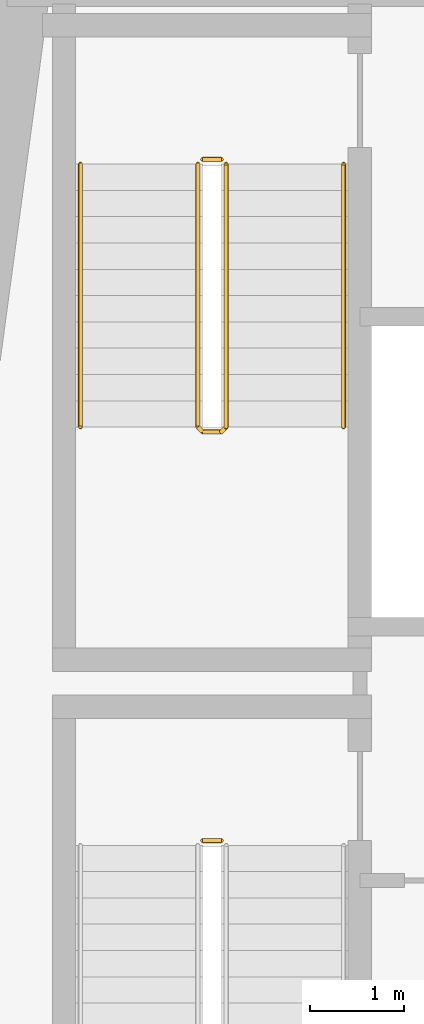
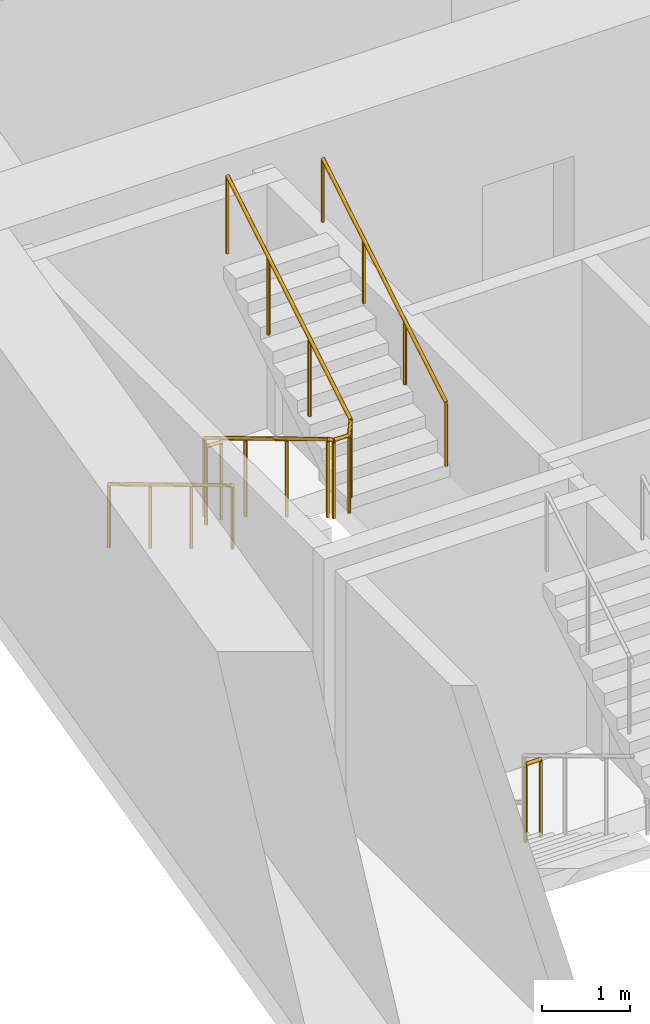
# One storey, part 10 of 13: 5 railings.
"""IFC4 building model written with IfcOpenShell, lengths in metres."""

from ifc_helpers import new_model, si_unit, direction, frame, origin, origin_2d, place, context, subcontext, project, spatial, circle, extrude, material, type_object, element, save


model = new_model("IFC4")

# Units and contexts
model_context = context("Model", 3, precision=1e-05, world=origin(), true_north=direction((0.0, 1.0)))
body_context = subcontext(model_context, "Body", "Model", "MODEL_VIEW")
ifc_project = project(units=[si_unit("LENGTHUNIT", "METRE"), si_unit("AREAUNIT", "SQUARE_METRE"), si_unit("VOLUMEUNIT", "CUBIC_METRE"), si_unit("PLANEANGLEUNIT", "RADIAN"), si_unit("MASSUNIT", "GRAM", prefix="KILO")], contexts=[model_context])

# Site, building, storey
site_placement = place(None, origin())
site = spatial("IfcSite", under=ifc_project, at=site_placement, CompositionType="ELEMENT")
building_placement = place(site_placement, origin())
building = spatial("IfcBuilding", under=site, at=building_placement, Name="Candeia Pilgrim Tower and Theatre", CompositionType="ELEMENT")
storey_placement = place(building_placement, frame((0.0, 0.0, 109.5)))
storey = spatial("IfcBuildingStorey", under=building, at=storey_placement, Name="L25", CompositionType="ELEMENT", Elevation=109.5)

# Railings
ifc_material_1 = material(Name="Stainless steel balustrade", Category="steel")
railing_type_1 = type_object("IfcRailingType", Name="RL-GUARD-1100", PredefinedType="GUARDRAIL", material=ifc_material_1)
railing_1_placement = place(storey_placement, frame((91.152099609375, 122.52490234375, 0.0)))
element("IfcRailing", 1, at=railing_1_placement, inside=storey, type_object=railing_type_1, Name="L25 ST1 stair guard 2", PredefinedType="GUARDRAIL", context=body_context, shape_type="SweptSolid", body=[
    extrude(circle(Radius=0.02392578125, at=origin_2d()), frame((0.0, 0.0, 1.076171875), z_axis=(1.0, 0.0, 0.0), x_axis=(0.0, 1.0, 0.0)), (0.0, 0.0, 1.0), 0.199951171875),
    extrude(circle(Radius=0.02099609375, at=origin_2d()), origin(), (0.0, 0.0, 1.0), 1.052001953125),
    extrude(circle(Radius=0.02099609375, at=origin_2d()), frame((0.199951171875, 0.0, 0.0)), (0.0, 0.0, 1.0), 1.052001953125),
])
railing_2_placement = place(storey_placement, frame((91.10205078125, 129.72509765625, 0.168212890625)))
element("IfcRailing", 2, at=railing_2_placement, inside=storey, type_object=railing_type_1, Name="L25 ST2 stair guard 1", PredefinedType="GUARDRAIL", context=body_context, shape_type="SweptSolid", body=[
    extrude(circle(Radius=0.02392578125, at=origin_2d()), frame((0.0, 0.0, 1.076171875), z_axis=(0.0, -0.857242210791, 0.514913383045), x_axis=(1.0, 0.0, 0.0)), (0.0, 0.0, 1.0), 3.266357421875),
    extrude(circle(Radius=0.02392578125, at=origin_2d()), frame((0.0, -2.800048828125, 2.7578125), z_axis=(0.707106781187, -0.707106781187, 0.0), x_axis=(0.707106781187, 0.707106781187, 0.0)), (0.0, 0.0, 1.0), 0.07080078125),
    extrude(circle(Radius=0.02392578125, at=origin_2d()), frame((0.050048828125, -2.85009765625, 2.7578125), z_axis=(1.0, 0.0, 0.0), x_axis=(0.0, 1.0, 0.0)), (0.0, 0.0, 1.0), 0.199951171875),
    extrude(circle(Radius=0.02392578125, at=origin_2d()), frame((0.25, -2.85009765625, 2.7578125), z_axis=(0.274582412415, 0.274582412415, 0.921525364591), x_axis=(-0.707106781187, 0.707106781187, 0.0)), (0.0, 0.0, 1.0), 0.182373046875),
    extrude(circle(Radius=0.02392578125, at=origin_2d()), frame((0.300048828125, -2.800048828125, 2.92578125), z_axis=(0.0, 0.857242210791, 0.514913383045), x_axis=(-1.0, 0.0, 0.0)), (0.0, 0.0, 1.0), 3.266357421875),
    extrude(circle(Radius=0.02099609375, at=origin_2d()), origin(), (0.0, 0.0, 1.0), 1.052001953125),
    extrude(circle(Radius=0.02099609375, at=origin_2d()), frame((0.0, -0.933349609375, 0.560546875)), (0.0, 0.0, 1.0), 1.052001953125),
    extrude(circle(Radius=0.02099609375, at=origin_2d()), frame((0.0, -1.86669921875, 1.121337890625)), (0.0, 0.0, 1.0), 1.052001953125),
    extrude(circle(Radius=0.02099609375, at=origin_2d()), frame((0.0, -2.800048828125, 1.681884765625)), (0.0, 0.0, 1.0), 1.052001953125),
    extrude(circle(Radius=0.02099609375, at=origin_2d()), frame((0.050048828125, -2.85009765625, 1.681884765625)), (0.0, 0.0, 1.0), 1.052001953125),
    extrude(circle(Radius=0.02099609375, at=origin_2d()), frame((0.25, -2.85009765625, 1.681884765625)), (0.0, 0.0, 1.0), 1.052001953125),
    extrude(circle(Radius=0.02099609375, at=origin_2d()), frame((0.300048828125, -2.800048828125, 1.849853515625)), (0.0, 0.0, 1.0), 1.052001953125),
    extrude(circle(Radius=0.02099609375, at=origin_2d()), frame((0.300048828125, -1.86669921875, 2.410400390625)), (0.0, 0.0, 1.0), 1.052001953125),
    extrude(circle(Radius=0.02099609375, at=origin_2d()), frame((0.300048828125, -0.933349609375, 2.97119140625)), (0.0, 0.0, 1.0), 1.052001953125),
    extrude(circle(Radius=0.02099609375, at=origin_2d()), frame((0.300048828125, 0.0, 3.53173828125)), (0.0, 0.0, 1.0), 1.052001953125),
])
railing_3_placement = place(storey_placement, frame((91.152099609375, 129.77490234375, 0.0)))
element("IfcRailing", 3, at=railing_3_placement, inside=storey, type_object=railing_type_1, Name="L25 ST2 stair guard 2", PredefinedType="GUARDRAIL", context=body_context, shape_type="SweptSolid", body=[
    extrude(circle(Radius=0.02392578125, at=origin_2d()), frame((0.0, 0.0, 1.076171875), z_axis=(1.0, 0.0, 0.0), x_axis=(0.0, 1.0, 0.0)), (0.0, 0.0, 1.0), 0.199951171875),
    extrude(circle(Radius=0.02099609375, at=origin_2d()), origin(), (0.0, 0.0, 1.0), 1.052001953125),
    extrude(circle(Radius=0.02099609375, at=origin_2d()), frame((0.199951171875, 0.0, 0.0)), (0.0, 0.0, 1.0), 1.052001953125),
])
ifc_material_2 = material(Name="Stainless steel handrail", Category="steel")
railing_type_2 = type_object("IfcRailingType", Name="RL-HANDRAIL-900", PredefinedType="HANDRAIL", material=ifc_material_2)
railing_4_placement = place(storey_placement, frame((89.85205078125, 129.72509765625, 0.168212890625)))
element("IfcRailing", 4, at=railing_4_placement, inside=storey, type_object=railing_type_2, Name="L25 ST2 stair handrail 1", PredefinedType="HANDRAIL", context=body_context, shape_type="SweptSolid", body=[
    extrude(circle(Radius=0.02392578125, at=origin_2d()), frame((0.0, 0.0, 0.8759765625), z_axis=(0.0, -0.857242210791, 0.514913383045), x_axis=(1.0, 0.0, 0.0)), (0.0, 0.0, 1.0), 3.266357421875),
    extrude(circle(Radius=0.02099609375, at=origin_2d()), origin(), (0.0, 0.0, 1.0), 0.851806640625),
    extrude(circle(Radius=0.02099609375, at=origin_2d()), frame((0.0, -0.933349609375, 0.560546875)), (0.0, 0.0, 1.0), 0.851806640625),
    extrude(circle(Radius=0.02099609375, at=origin_2d()), frame((0.0, -1.86669921875, 1.121337890625)), (0.0, 0.0, 1.0), 0.851806640625),
    extrude(circle(Radius=0.02099609375, at=origin_2d()), frame((0.0, -2.800048828125, 1.681884765625)), (0.0, 0.0, 1.0), 0.851806640625),
])
railing_5_placement = place(storey_placement, frame((92.652099609375, 126.925048828125, 2.01806640625)))
element("IfcRailing", 5, at=railing_5_placement, inside=storey, type_object=railing_type_2, Name="L25 ST2 stair handrail 2", PredefinedType="HANDRAIL", context=body_context, shape_type="SweptSolid", body=[
    extrude(circle(Radius=0.02392578125, at=origin_2d()), frame((0.0, 0.0, 0.8759765625), z_axis=(0.0, 0.857242210791, 0.514913383045), x_axis=(-1.0, 0.0, 0.0)), (0.0, 0.0, 1.0), 3.266357421875),
    extrude(circle(Radius=0.02099609375, at=origin_2d()), origin(), (0.0, 0.0, 1.0), 0.851806640625),
    extrude(circle(Radius=0.02099609375, at=origin_2d()), frame((0.0, 0.933349609375, 0.560546875)), (0.0, 0.0, 1.0), 0.851806640625),
    extrude(circle(Radius=0.02099609375, at=origin_2d()), frame((0.0, 1.86669921875, 1.121337890625)), (0.0, 0.0, 1.0), 0.851806640625),
    extrude(circle(Radius=0.02099609375, at=origin_2d()), frame((0.0, 2.800048828125, 1.681884765625)), (0.0, 0.0, 1.0), 0.851806640625),
])

save(model, "model.ifc")
